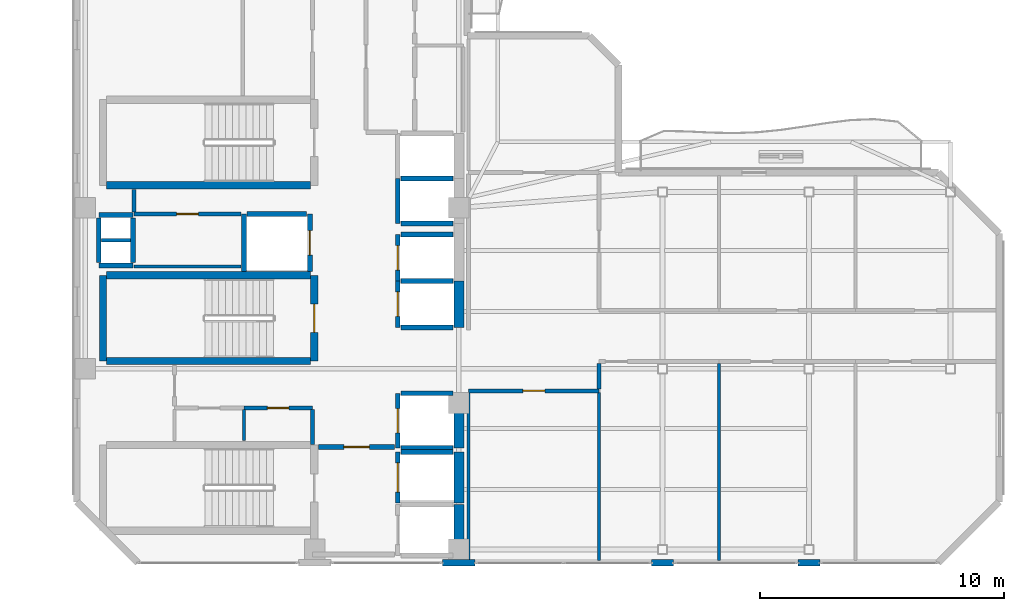
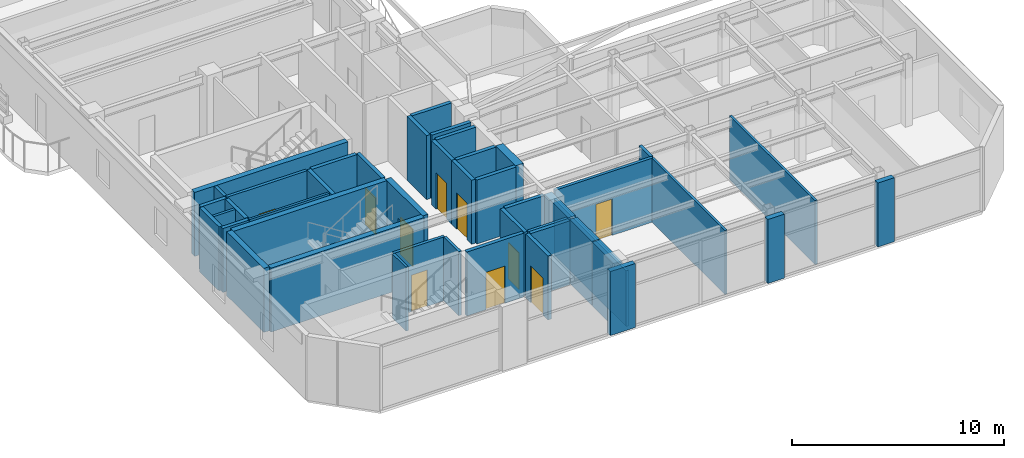
# One storey, part 9 of 15: 45 walls, 10 doors, 10 openings.
"""IFC4 building model written with IfcOpenShell, lengths in metres."""

from ifc_helpers import new_model, si_unit, direction, frame, frame_2d, origin, place, context, subcontext, project, spatial, rectangle, extrude, material, layer, layer_set, type_object, element, fill, save


model = new_model("IFC4")

# Units and contexts
model_context = context("Model", 3, precision=1e-05, world=origin(), true_north=direction((0.0, 1.0)))
body_context = subcontext(model_context, "Body", "Model", "MODEL_VIEW")
ifc_project = project(units=[si_unit("LENGTHUNIT", "METRE"), si_unit("AREAUNIT", "SQUARE_METRE"), si_unit("VOLUMEUNIT", "CUBIC_METRE"), si_unit("PLANEANGLEUNIT", "RADIAN"), si_unit("MASSUNIT", "GRAM", prefix="KILO")], contexts=[model_context])

# Site, building, storey
site_placement = place(None, origin())
site = spatial("IfcSite", under=ifc_project, at=site_placement, CompositionType="ELEMENT")
building_placement = place(site_placement, origin())
building = spatial("IfcBuilding", under=site, at=building_placement, Name="Mawjaban Terraces University", CompositionType="ELEMENT")
storey_placement = place(building_placement, frame((0.0, 0.0, 295.0)))
storey = spatial("IfcBuildingStorey", under=building, at=storey_placement, Name="L72", CompositionType="ELEMENT", Elevation=295.0)

# Walls
ifc_material_1 = material(Name="Concrete C50/60", Category="concrete")
ifc_layer_1 = layer(ifc_material_1, 0.419921875)
ifc_layer_set_1 = layer_set([ifc_layer_1], Name="Concrete C50/60")
wall_type_1 = type_object("IfcWallType", Name="CoreShearWall_420", PredefinedType="SHEAR", material=ifc_layer_set_1)
wall_1_placement = place(storey_placement, frame((37.659912109375, 0.300048828125, 0.0), z_axis=(0.0, 0.0, 1.0), x_axis=(0.0, 1.0, 0.0)))
element("IfcWall", 1, at=wall_1_placement, inside=storey, type_object=wall_type_1, Name="L72 Lift FL-1 Hoistway Wall East", PredefinedType="SHEAR", context=body_context, shape_type="SweptSolid", body=[
    extrude(rectangle(XDim=2.099853515625, YDim=0.419921875, at=frame_2d((1.0498046875, 0.0))), origin(), (0.0, 0.0, 1.0), 3.68994140625),
])
wall_2_placement = place(storey_placement, frame((37.659912109375, 2.449951171875, 0.0), z_axis=(0.0, 0.0, 1.0), x_axis=(0.0, 1.0, 0.0)))
element("IfcWall", 2, at=wall_2_placement, inside=storey, type_object=wall_type_1, Name="L72 Lift FL-2 Hoistway Wall East", PredefinedType="SHEAR", context=body_context, shape_type="SweptSolid", body=[
    extrude(rectangle(XDim=2.10009765625, YDim=0.419921875, at=frame_2d((1.050048828125, 0.0))), origin(), (0.0, 0.0, 1.0), 3.68994140625),
])
wall_3_placement = place(storey_placement, frame((37.659912109375, 4.699951171875, 0.0), z_axis=(0.0, 0.0, 1.0), x_axis=(0.0, 1.0, 0.0)))
element("IfcWall", 3, at=wall_3_placement, inside=storey, type_object=wall_type_1, Name="L72 Lift SL-1 Hoistway Wall East", PredefinedType="SHEAR", context=body_context, shape_type="SweptSolid", body=[
    extrude(rectangle(XDim=2.25, YDim=0.419921875, at=frame_2d((1.125, 0.0))), origin(), (0.0, 0.0, 1.0), 3.68994140625),
])
wall_4_placement = place(storey_placement, frame((37.659912109375, 9.64990234375, 0.0), z_axis=(0.0, 0.0, 1.0), x_axis=(0.0, 1.0, 0.0)))
element("IfcWall", 4, at=wall_4_placement, inside=storey, type_object=wall_type_1, Name="L72 Lift PL-H1 Hoistway Wall East", PredefinedType="SHEAR", context=body_context, shape_type="SweptSolid", body=[
    extrude(rectangle(XDim=1.900146484375, YDim=0.419921875, at=frame_2d((0.9501953125, 0.0))), origin(), (0.0, 0.0, 1.0), 3.68994140625),
])

# Wall, opening, door
ifc_material_2 = material(Name="Fire-rated gypsum board on steel stud", Category="steel")
ifc_layer_2 = layer(ifc_material_2, 0.159912109375)
ifc_layer_set_2 = layer_set([ifc_layer_2], Name="Fire-rated gypsum board on steel stud")
wall_type_2 = type_object("IfcWallType", Name="CorridorPartition_160", PredefinedType="PARTITIONING", material=ifc_layer_set_2)
wall_5_placement = place(storey_placement, frame((24.35009765625, 14.300048828125, 0.0), z_axis=(0.0, 0.0, 1.0), x_axis=(1.0, 0.0, 0.0)))
wall_5 = element("IfcWall", 5, at=wall_5_placement, inside=storey, type_object=wall_type_2, Name="L72 Core Riser Access Passage Partition 2", PredefinedType="PARTITIONING", context=body_context, shape_type="SweptSolid", body=[
    extrude(rectangle(XDim=4.369873046875, YDim=0.159912109375, at=frame_2d((2.18505859375, 0.0))), origin(), (0.0, 0.0, 1.0), 3.68994140625),
])
opening_1_placement = place(wall_5_placement, frame((1.735107421875, 0.0, 0.0)))
opening_1 = element("IfcOpeningElement", 6, at=opening_1_placement, cuts=wall_5, Name="Opening ID-090", PredefinedType="OPENING", context=body_context, shape_type="SweptSolid", body=[
    extrude(rectangle(XDim=0.89990234375, YDim=2.10009765625, at=frame_2d((0.449951171875, 1.050048828125))), frame((0.0, 0.08984375, 0.0), z_axis=(0.0, -1.0, 0.0), x_axis=(1.0, 0.0, 0.0)), (0.0, 0.0, 1.0), 0.179931640625),
])
ifc_material_3 = material(Name="Powder-coated steel frame and solid acoustic timber leaf", Category="steel")
door_type_1 = type_object("IfcDoorType", Name="OfficeDoor_900x2100", OperationType="NOTDEFINED", PredefinedType="DOOR", material=ifc_material_3)
door_1_placement = place(opening_1_placement, origin())
door_1 = element("IfcDoor", 7, at=door_1_placement, inside=storey, type_object=door_type_1, Name="L72 Cleaner Store Door", OperationType="SINGLE_SWING_LEFT", OverallHeight=2.10009765625, OverallWidth=0.89990234375, PredefinedType="DOOR", context=body_context, shape_type="SweptSolid", body=[
    extrude(rectangle(XDim=0.89990234375, YDim=2.10009765625, at=frame_2d((0.449951171875, 1.050048828125))), frame((0.0, 0.02490234375, 0.0), z_axis=(0.0, -1.0, 0.0), x_axis=(1.0, 0.0, 0.0)), (0.0, 0.0, 1.0), 0.050048828125),
])
fill(opening_1, door_1)

wall_6_placement = place(storey_placement, frame((28.85009765625, 6.35009765625, 0.0), z_axis=(0.0, 0.0, 1.0), x_axis=(1.0, 0.0, 0.0)))
wall_6 = element("IfcWall", 8, at=wall_6_placement, inside=storey, type_object=wall_type_2, Name="L72 Core Washroom Lobby Partition 5", PredefinedType="PARTITIONING", context=body_context, shape_type="SweptSolid", body=[
    extrude(rectangle(XDim=2.7998046875, YDim=0.159912109375, at=frame_2d((1.39990234375, 0.0))), origin(), (0.0, 0.0, 1.0), 3.68994140625),
])
opening_2_placement = place(wall_6_placement, frame((0.9599609375, 0.0, 0.0)))
opening_2 = element("IfcOpeningElement", 9, at=opening_2_placement, cuts=wall_6, Name="Opening ID-088", PredefinedType="OPENING", context=body_context, shape_type="SweptSolid", body=[
    extrude(rectangle(XDim=0.8798828125, YDim=2.10009765625, at=frame_2d((0.43994140625, 1.050048828125))), frame((0.0, 0.08984375, 0.0), z_axis=(0.0, -1.0, 0.0), x_axis=(1.0, 0.0, 0.0)), (0.0, 0.0, 1.0), 0.179931640625),
])
door_type_2 = type_object("IfcDoorType", Name="ToiletDoor_880x2100", OperationType="NOTDEFINED", PredefinedType="DOOR", material=ifc_material_3)
door_2_placement = place(opening_2_placement, origin())
door_2 = element("IfcDoor", 10, at=door_2_placement, inside=storey, type_object=door_type_2, Name="L72 Accessible Toilet Door", OperationType="SINGLE_SWING_RIGHT", OverallHeight=2.10009765625, OverallWidth=0.8798828125, PredefinedType="DOOR", context=body_context, shape_type="SweptSolid", body=[
    extrude(rectangle(XDim=0.8798828125, YDim=2.10009765625, at=frame_2d((0.43994140625, 1.050048828125))), frame((0.0, 0.02490234375, 0.0), z_axis=(0.0, -1.0, 0.0), x_axis=(1.0, 0.0, 0.0)), (0.0, 0.0, 1.0), 0.050048828125),
])
fill(opening_2, door_2)

wall_7_placement = place(storey_placement, frame((38.050048828125, 7.050048828125, 0.0), z_axis=(0.0, 0.0, 1.0), x_axis=(1.0, 0.0, 0.0)))
wall_7 = element("IfcWall", 11, at=wall_7_placement, inside=storey, type_object=wall_type_2, Name="L72 Upper Research Hub Concourse Partition 16", PredefinedType="PARTITIONING", context=body_context, shape_type="SweptSolid", body=[
    extrude(rectangle(XDim=5.349853515625, YDim=0.159912109375, at=frame_2d((2.6748046875, 0.0))), origin(), (0.0, 0.0, 1.0), 3.68994140625),
])
opening_3_placement = place(wall_7_placement, frame((2.22509765625, 0.0, 0.0)))
opening_3 = element("IfcOpeningElement", 12, at=opening_3_placement, cuts=wall_7, Name="Opening ID-090", PredefinedType="OPENING", context=body_context, shape_type="SweptSolid", body=[
    extrude(rectangle(XDim=0.89990234375, YDim=2.10009765625, at=frame_2d((0.449951171875, 1.050048828125))), frame((0.0, 0.08984375, 0.0), z_axis=(0.0, -1.0, 0.0), x_axis=(1.0, 0.0, 0.0)), (0.0, 0.0, 1.0), 0.179931640625),
])
door_3_placement = place(opening_3_placement, origin())
door_3 = element("IfcDoor", 13, at=door_3_placement, inside=storey, type_object=door_type_1, Name="L72 Academic Counseling Room 1 Door", OperationType="SINGLE_SWING_LEFT", OverallHeight=2.10009765625, OverallWidth=0.89990234375, PredefinedType="DOOR", context=body_context, shape_type="SweptSolid", body=[
    extrude(rectangle(XDim=0.89990234375, YDim=2.10009765625, at=frame_2d((0.449951171875, 1.050048828125))), frame((0.0, 0.02490234375, 0.0), z_axis=(0.0, -1.0, 0.0), x_axis=(1.0, 0.0, 0.0)), (0.0, 0.0, 1.0), 0.050048828125),
])
fill(opening_3, door_3)

# Walls
wall_8_placement = place(storey_placement, frame((24.35009765625, 15.2900390625, 0.0), z_axis=(0.0, 0.0, 1.0), x_axis=(0.0, -1.0, 0.0)))
element("IfcWall", 14, at=wall_8_placement, inside=storey, type_object=wall_type_2, Name="L72 Core Riser Access Passage Partition 24", PredefinedType="PARTITIONING", context=body_context, shape_type="SweptSolid", body=[
    extrude(rectangle(XDim=0.9150390625, YDim=0.159912109375, at=frame_2d((0.45751953125, 0.0))), origin(), (0.0, 0.0, 1.0), 3.68994140625),
])
wall_9_placement = place(storey_placement, frame((31.64990234375, 4.860107421875, 0.0), z_axis=(0.0, 0.0, 1.0), x_axis=(0.0, 1.0, 0.0)))
element("IfcWall", 15, at=wall_9_placement, inside=storey, type_object=wall_type_2, Name="L72 Accessible Toilet Partition 29", PredefinedType="PARTITIONING", context=body_context, shape_type="SweptSolid", body=[
    extrude(rectangle(XDim=1.414794921875, YDim=0.159912109375, at=frame_2d((0.70751953125, 0.0))), origin(), (0.0, 0.0, 1.0), 3.68994140625),
])
wall_10_placement = place(storey_placement, frame((43.39990234375, 7.125, 0.0), z_axis=(0.0, 0.0, 1.0), x_axis=(0.0, 1.0, 0.0)))
element("IfcWall", 16, at=wall_10_placement, inside=storey, type_object=wall_type_2, Name="L72 Upper Research Hub Concourse Partition 42", PredefinedType="PARTITIONING", context=body_context, shape_type="SweptSolid", body=[
    extrude(rectangle(XDim=1.050048828125, YDim=0.159912109375, at=frame_2d((0.52490234375, 0.0))), origin(), (0.0, 0.0, 1.0), 3.68994140625),
])
ifc_material_4 = material(Name="Insulated terracotta rainscreen on concrete backup C40/50", Category="masonry")
ifc_layer_3 = layer(ifc_material_4, 0.27490234375)
ifc_layer_set_3 = layer_set([ifc_layer_3], Name="Insulated terracotta rainscreen on concrete backup C40/50")
wall_type_3 = type_object("IfcWallType", Name="ExtTerracottaWall_275", PredefinedType="SOLIDWALL", material=ifc_layer_set_3)
wall_11_placement = place(storey_placement, frame((36.97509765625, 0.0, 0.0), z_axis=(0.0, 0.0, 1.0), x_axis=(1.0, 0.0, 0.0)))
element("IfcWall", 17, at=wall_11_placement, inside=storey, type_object=wall_type_3, Name="L72 Exterior Terracotta Pier Wall 1.2", PredefinedType="SOLIDWALL", context=body_context, shape_type="SweptSolid", body=[
    extrude(rectangle(XDim=1.349853515625, YDim=0.27490234375, at=frame_2d((0.6748046875, 0.0))), origin(), (0.0, 0.0, 1.0), 3.68994140625),
])
for number, where, z_axis, x_axis, name in (
    (18, (45.550048828125, 0.0, 0.0), (0.0, 0.0, 1.0), (1.0, 0.0, 0.0), "L72 Exterior Terracotta Pier Wall 1.3"),
    (19, (51.550048828125, 0.0, 0.0), (0.0, 0.0, 1.0), (1.0, 0.0, 0.0), "L72 Exterior Terracotta Pier Wall 1.4"),
):
    element("IfcWall", number, at=place(storey_placement, frame(where, z_axis=z_axis, x_axis=x_axis)), inside=storey, type_object=wall_type_3, Name=name, PredefinedType="SOLIDWALL", context=body_context, shape_type="SweptSolid", body=[
        extrude(rectangle(XDim=0.89990234375, YDim=0.27490234375, at=frame_2d((0.449951171875, 0.0))), origin(), (0.0, 0.0, 1.0), 3.68994140625),
    ])

# Wall, opening, door
ifc_material_5 = material(Name="Concrete C40/50", Category="concrete")
ifc_layer_4 = layer(ifc_material_5, 0.199951171875)
ifc_layer_set_4 = layer_set([ifc_layer_4], Name="Concrete C40/50")
wall_type_4 = type_object("IfcWallType", Name="FireLobbyWall_200", PredefinedType="SOLIDWALL", material=ifc_layer_set_4)
wall_12_placement = place(storey_placement, frame((35.14990234375, 4.550048828125, 0.0), z_axis=(0.0, 0.0, 1.0), x_axis=(0.0, -1.0, 0.0)))
wall_12 = element("IfcWall", 20, at=wall_12_placement, inside=storey, type_object=wall_type_4, Name="L72 Lift FL-2 Hoistway Wall West", PredefinedType="SOLIDWALL", context=body_context, shape_type="SweptSolid", body=[
    extrude(rectangle(XDim=2.10009765625, YDim=0.199951171875, at=frame_2d((1.050048828125, 0.0))), origin(), (0.0, 0.0, 1.0), 3.68994140625),
])
opening_4_placement = place(wall_12_placement, frame((0.449951171875, 0.0, 0.0)))
opening_4 = element("IfcOpeningElement", 21, at=opening_4_placement, cuts=wall_12, Name="Opening LD-FL-2", PredefinedType="OPENING", context=body_context, shape_type="SweptSolid", body=[
    extrude(rectangle(XDim=1.199951171875, YDim=2.14990234375, at=frame_2d((0.60009765625, 1.074951171875))), frame((0.0, 0.10986328125, 0.0), z_axis=(0.0, -1.0, 0.0), x_axis=(1.0, 0.0, 0.0)), (0.0, 0.0, 1.0), 0.219970703125),
])
ifc_material_6 = material(Name="Powder-coated steel frame and fire-rated steel-faced leaf", Category="steel")
door_type_3 = type_object("IfcDoorType", Name="LiftLandingFSAE_1200x2150", OperationType="NOTDEFINED", PredefinedType="DOOR", material=ifc_material_6)
door_4_placement = place(opening_4_placement, origin())
door_4 = element("IfcDoor", 22, at=door_4_placement, inside=storey, type_object=door_type_3, Name="L72 Lift FL-2 Sliding Landing Door", OperationType="DOUBLE_DOOR_SLIDING", OverallHeight=2.14990234375, OverallWidth=1.199951171875, PredefinedType="DOOR", context=body_context, shape_type="SweptSolid", body=[
    extrude(rectangle(XDim=1.199951171875, YDim=2.14990234375, at=frame_2d((0.60009765625, 1.074951171875))), frame((0.0, 0.02490234375, 0.0), z_axis=(0.0, -1.0, 0.0), x_axis=(1.0, 0.0, 0.0)), (0.0, 0.0, 1.0), 0.050048828125),
])
fill(opening_4, door_4)

# Wall
wall_13_placement = place(storey_placement, frame((37.419921875, 4.550048828125, 0.0), z_axis=(0.0, 0.0, 1.0), x_axis=(-1.0, 0.0, 0.0)))
element("IfcWall", 23, at=wall_13_placement, inside=storey, type_object=wall_type_4, Name="L72 Lift FL-2 Hoistway Wall North", PredefinedType="SOLIDWALL", context=body_context, shape_type="SweptSolid", body=[
    extrude(rectangle(XDim=2.139892578125, YDim=0.199951171875, at=frame_2d((1.06982421875, 0.0))), origin(), (0.0, 0.0, 1.0), 3.68994140625),
])

# Wall, opening, door
wall_14_placement = place(storey_placement, frame((35.14990234375, 6.949951171875, 0.0), z_axis=(0.0, 0.0, 1.0), x_axis=(0.0, -1.0, 0.0)))
wall_14 = element("IfcWall", 24, at=wall_14_placement, inside=storey, type_object=wall_type_4, Name="L72 Lift SL-1 Hoistway Wall West", PredefinedType="SOLIDWALL", context=body_context, shape_type="SweptSolid", body=[
    extrude(rectangle(XDim=2.25, YDim=0.199951171875, at=frame_2d((1.125, 0.0))), origin(), (0.0, 0.0, 1.0), 3.68994140625),
])
opening_5_placement = place(wall_14_placement, frame((0.625, 0.0, 0.0)))
opening_5 = element("IfcOpeningElement", 25, at=opening_5_placement, cuts=wall_14, Name="Opening LD-SL-1", PredefinedType="OPENING", context=body_context, shape_type="SweptSolid", body=[
    extrude(rectangle(XDim=1.0, YDim=2.10009765625, at=frame_2d((0.5, 1.050048828125))), frame((0.0, 0.10986328125, 0.0), z_axis=(0.0, -1.0, 0.0), x_axis=(1.0, 0.0, 0.0)), (0.0, 0.0, 1.0), 0.219970703125),
])
door_type_4 = type_object("IfcDoorType", Name="LiftLandingSliding_1000x2100", OperationType="NOTDEFINED", PredefinedType="DOOR", material=ifc_material_6)
door_5_placement = place(opening_5_placement, origin())
door_5 = element("IfcDoor", 26, at=door_5_placement, inside=storey, type_object=door_type_4, Name="L72 Lift SL-1 Sliding Landing Door", OperationType="DOUBLE_DOOR_SLIDING", OverallHeight=2.10009765625, OverallWidth=1.0, PredefinedType="DOOR", context=body_context, shape_type="SweptSolid", body=[
    extrude(rectangle(XDim=1.0, YDim=2.10009765625, at=frame_2d((0.5, 1.050048828125))), frame((0.0, 0.02490234375, 0.0), z_axis=(0.0, -1.0, 0.0), x_axis=(1.0, 0.0, 0.0)), (0.0, 0.0, 1.0), 0.050048828125),
])
fill(opening_5, door_5)

# Walls
for number, where, z_axis, x_axis, name in (
    (27, (35.280029296875, 4.699951171875, 0.0), (0.0, 0.0, 1.0), (1.0, 0.0, 0.0), "L72 Lift SL-1 Hoistway Wall South"),
    (28, (37.419921875, 6.949951171875, 0.0), (0.0, 0.0, 1.0), (-1.0, 0.0, 0.0), "L72 Lift SL-1 Hoistway Wall North"),
):
    element("IfcWall", number, at=place(storey_placement, frame(where, z_axis=z_axis, x_axis=x_axis)), inside=storey, type_object=wall_type_4, Name=name, PredefinedType="SOLIDWALL", context=body_context, shape_type="SweptSolid", body=[
        extrude(rectangle(XDim=2.139892578125, YDim=0.199951171875, at=frame_2d((1.06982421875, 0.0))), origin(), (0.0, 0.0, 1.0), 3.68994140625),
    ])

# Wall, opening, door
wall_15_placement = place(storey_placement, frame((35.14990234375, 11.550048828125, 0.0), z_axis=(0.0, 0.0, 1.0), x_axis=(0.0, -1.0, 0.0)))
wall_15 = element("IfcWall", 29, at=wall_15_placement, inside=storey, type_object=wall_type_4, Name="L72 Lift PL-H1 Hoistway Wall West", PredefinedType="SOLIDWALL", context=body_context, shape_type="SweptSolid", body=[
    extrude(rectangle(XDim=1.900146484375, YDim=0.199951171875, at=frame_2d((0.9501953125, 0.0))), origin(), (0.0, 0.0, 1.0), 3.68994140625),
])
opening_6_placement = place(wall_15_placement, frame((0.449951171875, 0.0, 0.0)))
opening_6 = element("IfcOpeningElement", 30, at=opening_6_placement, cuts=wall_15, Name="Opening LD-PL-H1", PredefinedType="OPENING", context=body_context, shape_type="SweptSolid", body=[
    extrude(rectangle(XDim=1.0, YDim=2.10009765625, at=frame_2d((0.5, 1.050048828125))), frame((0.0, 0.10986328125, 0.0), z_axis=(0.0, -1.0, 0.0), x_axis=(1.0, 0.0, 0.0)), (0.0, 0.0, 1.0), 0.219970703125),
])
door_6_placement = place(opening_6_placement, origin())
door_6 = element("IfcDoor", 31, at=door_6_placement, inside=storey, type_object=door_type_4, Name="L72 Lift PL-H1 Sliding Landing Door", OperationType="DOUBLE_DOOR_SLIDING", OverallHeight=2.10009765625, OverallWidth=1.0, PredefinedType="DOOR", context=body_context, shape_type="SweptSolid", body=[
    extrude(rectangle(XDim=1.0, YDim=2.10009765625, at=frame_2d((0.5, 1.050048828125))), frame((0.0, 0.02490234375, 0.0), z_axis=(0.0, -1.0, 0.0), x_axis=(1.0, 0.0, 0.0)), (0.0, 0.0, 1.0), 0.050048828125),
])
fill(opening_6, door_6)

# Walls
for number, where, z_axis, x_axis, name in (
    (32, (35.280029296875, 9.64990234375, 0.0), (0.0, 0.0, 1.0), (1.0, 0.0, 0.0), "L72 Lift PL-H1 Hoistway Wall South"),
    (33, (37.419921875, 11.550048828125, 0.0), (0.0, 0.0, 1.0), (-1.0, 0.0, 0.0), "L72 Lift PL-H1 Hoistway Wall North"),
):
    element("IfcWall", number, at=place(storey_placement, frame(where, z_axis=z_axis, x_axis=x_axis)), inside=storey, type_object=wall_type_4, Name=name, PredefinedType="SOLIDWALL", context=body_context, shape_type="SweptSolid", body=[
        extrude(rectangle(XDim=2.139892578125, YDim=0.199951171875, at=frame_2d((1.06982421875, 0.0))), origin(), (0.0, 0.0, 1.0), 3.68994140625),
    ])

# Wall, opening, door
wall_16_placement = place(storey_placement, frame((35.14990234375, 13.449951171875, 0.0), z_axis=(0.0, 0.0, 1.0), x_axis=(0.0, -1.0, 0.0)))
wall_16 = element("IfcWall", 34, at=wall_16_placement, inside=storey, type_object=wall_type_4, Name="L72 Lift PL-H2 Hoistway Wall West", PredefinedType="SOLIDWALL", context=body_context, shape_type="SweptSolid", body=[
    extrude(rectangle(XDim=1.89990234375, YDim=0.199951171875, at=frame_2d((0.949951171875, 0.0))), origin(), (0.0, 0.0, 1.0), 3.68994140625),
])
opening_7_placement = place(wall_16_placement, frame((0.449951171875, 0.0, 0.0)))
opening_7 = element("IfcOpeningElement", 35, at=opening_7_placement, cuts=wall_16, Name="Opening LD-PL-H2", PredefinedType="OPENING", context=body_context, shape_type="SweptSolid", body=[
    extrude(rectangle(XDim=1.0, YDim=2.10009765625, at=frame_2d((0.5, 1.050048828125))), frame((0.0, 0.10986328125, 0.0), z_axis=(0.0, -1.0, 0.0), x_axis=(1.0, 0.0, 0.0)), (0.0, 0.0, 1.0), 0.219970703125),
])
door_7_placement = place(opening_7_placement, origin())
door_7 = element("IfcDoor", 36, at=door_7_placement, inside=storey, type_object=door_type_4, Name="L72 Lift PL-H2 Sliding Landing Door", OperationType="DOUBLE_DOOR_SLIDING", OverallHeight=2.10009765625, OverallWidth=1.0, PredefinedType="DOOR", context=body_context, shape_type="SweptSolid", body=[
    extrude(rectangle(XDim=1.0, YDim=2.10009765625, at=frame_2d((0.5, 1.050048828125))), frame((0.0, 0.02490234375, 0.0), z_axis=(0.0, -1.0, 0.0), x_axis=(1.0, 0.0, 0.0)), (0.0, 0.0, 1.0), 0.050048828125),
])
fill(opening_7, door_7)

# Walls
wall_17_placement = place(storey_placement, frame((37.419921875, 13.449951171875, 0.0), z_axis=(0.0, 0.0, 1.0), x_axis=(-1.0, 0.0, 0.0)))
element("IfcWall", 37, at=wall_17_placement, inside=storey, type_object=wall_type_4, Name="L72 Lift PL-H2 Hoistway Wall North", PredefinedType="SOLIDWALL", context=body_context, shape_type="SweptSolid", body=[
    extrude(rectangle(XDim=2.139892578125, YDim=0.199951171875, at=frame_2d((1.06982421875, 0.0))), origin(), (0.0, 0.0, 1.0), 3.68994140625),
])
wall_18_placement = place(storey_placement, frame((28.85009765625, 14.300048828125, 0.0), z_axis=(0.0, 0.0, 1.0), x_axis=(0.0, -1.0, 0.0)))
element("IfcWall", 38, at=wall_18_placement, inside=storey, type_object=wall_type_4, Name="L72 Lift PL-H3 Hoistway Wall West", PredefinedType="SOLIDWALL", context=body_context, shape_type="SweptSolid", body=[
    extrude(rectangle(XDim=2.3701171875, YDim=0.199951171875, at=frame_2d((1.18505859375, 0.0))), origin(), (0.0, 0.0, 1.0), 3.68994140625),
])

# Wall, opening, door
wall_19_placement = place(storey_placement, frame((31.550048828125, 11.929931640625, 0.0), z_axis=(0.0, 0.0, 1.0), x_axis=(0.0, 1.0, 0.0)))
wall_19 = element("IfcWall", 39, at=wall_19_placement, inside=storey, type_object=wall_type_4, Name="L72 Lift PL-H3 Hoistway Wall East", PredefinedType="SOLIDWALL", context=body_context, shape_type="SweptSolid", body=[
    extrude(rectangle(XDim=2.3701171875, YDim=0.199951171875, at=frame_2d((1.18505859375, 0.0))), origin(), (0.0, 0.0, 1.0), 3.68994140625),
])
opening_8_placement = place(wall_19_placement, frame((0.68505859375, 0.0, 0.0)))
opening_8 = element("IfcOpeningElement", 40, at=opening_8_placement, cuts=wall_19, Name="Opening LD-PL-H3", PredefinedType="OPENING", context=body_context, shape_type="SweptSolid", body=[
    extrude(rectangle(XDim=1.0, YDim=2.10009765625, at=frame_2d((0.5, 1.050048828125))), frame((0.0, 0.10986328125, 0.0), z_axis=(0.0, -1.0, 0.0), x_axis=(1.0, 0.0, 0.0)), (0.0, 0.0, 1.0), 0.219970703125),
])
door_8_placement = place(opening_8_placement, origin())
door_8 = element("IfcDoor", 41, at=door_8_placement, inside=storey, type_object=door_type_4, Name="L72 Lift PL-H3 Sliding Landing Door", OperationType="DOUBLE_DOOR_SLIDING", OverallHeight=2.10009765625, OverallWidth=1.0, PredefinedType="DOOR", context=body_context, shape_type="SweptSolid", body=[
    extrude(rectangle(XDim=1.0, YDim=2.10009765625, at=frame_2d((0.5, 1.050048828125))), frame((0.0, 0.02490234375, 0.0), z_axis=(0.0, -1.0, 0.0), x_axis=(1.0, 0.0, 0.0)), (0.0, 0.0, 1.0), 0.050048828125),
])
fill(opening_8, door_8)

# Walls
wall_20_placement = place(storey_placement, frame((31.419921875, 14.300048828125, 0.0), z_axis=(0.0, 0.0, 1.0), x_axis=(-1.0, 0.0, 0.0)))
element("IfcWall", 42, at=wall_20_placement, inside=storey, type_object=wall_type_4, Name="L72 Lift PL-H3 Hoistway Wall North", PredefinedType="SOLIDWALL", context=body_context, shape_type="SweptSolid", body=[
    extrude(rectangle(XDim=2.43994140625, YDim=0.199951171875, at=frame_2d((1.219970703125, 0.0))), origin(), (0.0, 0.0, 1.0), 3.68994140625),
])
wall_21_placement = place(storey_placement, frame((35.14990234375, 15.75, 0.0), z_axis=(0.0, 0.0, 1.0), x_axis=(0.0, -1.0, 0.0)))
element("IfcWall", 43, at=wall_21_placement, inside=storey, type_object=wall_type_4, Name="L72 Lift OL-1 Hoistway Wall West", PredefinedType="SOLIDWALL", context=body_context, shape_type="SweptSolid", body=[
    extrude(rectangle(XDim=1.85009765625, YDim=0.199951171875, at=frame_2d((0.925048828125, 0.0))), origin(), (0.0, 0.0, 1.0), 3.68994140625),
])
for number, where, z_axis, x_axis, name in (
    (44, (35.280029296875, 13.89990234375, 0.0), (0.0, 0.0, 1.0), (1.0, 0.0, 0.0), "L72 Lift OL-1 Hoistway Wall South"),
    (45, (37.419921875, 15.75, 0.0), (0.0, 0.0, 1.0), (-1.0, 0.0, 0.0), "L72 Lift OL-1 Hoistway Wall North"),
):
    element("IfcWall", number, at=place(storey_placement, frame(where, z_axis=z_axis, x_axis=x_axis)), inside=storey, type_object=wall_type_4, Name=name, PredefinedType="SOLIDWALL", context=body_context, shape_type="SweptSolid", body=[
        extrude(rectangle(XDim=2.139892578125, YDim=0.199951171875, at=frame_2d((1.06982421875, 0.0))), origin(), (0.0, 0.0, 1.0), 3.68994140625),
    ])
for number, where, z_axis, x_axis, name in (
    (46, (22.89990234375, 14.25, 0.0), (0.0, 0.0, 1.0), (1.0, 0.0, 0.0), "L72 MEP Riser Shaft Wall N"),
    (47, (22.89990234375, 12.179931640625, 0.0), (0.0, 0.0, 1.0), (1.0, 0.0, 0.0), "L72 MEP Riser Shaft Wall S"),
):
    element("IfcWall", number, at=place(storey_placement, frame(where, z_axis=z_axis, x_axis=x_axis)), inside=storey, type_object=wall_type_4, Name=name, PredefinedType="SOLIDWALL", context=body_context, shape_type="SweptSolid", body=[
        extrude(rectangle(XDim=1.400146484375, YDim=0.199951171875, at=frame_2d((0.7001953125, 0.0))), origin(), (0.0, 0.0, 1.0), 3.68994140625),
    ])
for number, where, z_axis, x_axis, name in (
    (48, (24.300048828125, 12.300048828125, 0.0), (0.0, 0.0, 1.0), (0.0, 1.0, 0.0), "L72 MEP Riser Shaft Wall E"),
    (49, (22.89990234375, 12.300048828125, 0.0), (0.0, 0.0, 1.0), (0.0, 1.0, 0.0), "L72 MEP Riser Shaft Wall W"),
):
    element("IfcWall", number, at=place(storey_placement, frame(where, z_axis=z_axis, x_axis=x_axis)), inside=storey, type_object=wall_type_4, Name=name, PredefinedType="SOLIDWALL", context=body_context, shape_type="SweptSolid", body=[
        extrude(rectangle(XDim=1.829833984375, YDim=0.199951171875, at=frame_2d((0.9150390625, 0.0))), origin(), (0.0, 0.0, 1.0), 3.68994140625),
    ])

# Wall, opening, door
wall_22_placement = place(storey_placement, frame((35.02001953125, 4.75, 0.0), z_axis=(0.0, 0.0, 1.0), x_axis=(-1.0, 0.0, 0.0)))
wall_22 = element("IfcWall", 50, at=wall_22_placement, inside=storey, type_object=wall_type_4, Name="L72 Firefighting Lift Lobby Partition 9", PredefinedType="SOLIDWALL", context=body_context, shape_type="SweptSolid", body=[
    extrude(rectangle(XDim=3.110107421875, YDim=0.199951171875, at=frame_2d((1.55517578125, 0.0))), origin(), (0.0, 0.0, 1.0), 3.68994140625),
])
opening_9_placement = place(wall_22_placement, frame((1.030029296875, 0.0, 0.0)))
opening_9 = element("IfcOpeningElement", 51, at=opening_9_placement, cuts=wall_22, Name="Opening FD-105", PredefinedType="OPENING", context=body_context, shape_type="SweptSolid", body=[
    extrude(rectangle(XDim=1.050048828125, YDim=2.14990234375, at=frame_2d((0.52490234375, 1.074951171875))), frame((0.0, 0.10986328125, 0.0), z_axis=(0.0, -1.0, 0.0), x_axis=(1.0, 0.0, 0.0)), (0.0, 0.0, 1.0), 0.219970703125),
])
door_type_5 = type_object("IfcDoorType", Name="FireLobbyDoor_1050x2150", OperationType="NOTDEFINED", PredefinedType="DOOR", material=ifc_material_6)
door_9_placement = place(opening_9_placement, origin())
door_9 = element("IfcDoor", 52, at=door_9_placement, inside=storey, type_object=door_type_5, Name="L72 Firefighting Lift Lobby Door", OperationType="SINGLE_SWING_LEFT", OverallHeight=2.14990234375, OverallWidth=1.050048828125, PredefinedType="DOOR", context=body_context, shape_type="SweptSolid", body=[
    extrude(rectangle(XDim=1.050048828125, YDim=2.14990234375, at=frame_2d((0.52490234375, 1.074951171875))), frame((0.0, 0.02490234375, 0.0), z_axis=(0.0, -1.0, 0.0), x_axis=(1.0, 0.0, 0.0)), (0.0, 0.0, 1.0), 0.050048828125),
])
fill(opening_9, door_9)

# Walls
ifc_material_7 = material(Name="Moisture-resistant gypsum board on steel stud", Category="steel")
ifc_layer_5 = layer(ifc_material_7, 0.14501953125)
ifc_layer_set_5 = layer_set([ifc_layer_5], Name="Moisture-resistant gypsum board on steel stud")
wall_type_5 = type_object("IfcWallType", Name="LabPartition_145", PredefinedType="PARTITIONING", material=ifc_layer_set_5)
wall_23_placement = place(storey_placement, frame((23.010009765625, 13.22509765625, 0.0), z_axis=(0.0, 0.0, 1.0), x_axis=(1.0, 0.0, 0.0)))
element("IfcWall", 53, at=wall_23_placement, inside=storey, type_object=wall_type_5, Name="L72 MEP Riser Shaft Wall M", PredefinedType="PARTITIONING", context=body_context, shape_type="SweptSolid", body=[
    extrude(rectangle(XDim=1.179931640625, YDim=0.14501953125, at=frame_2d((0.58984375, 0.0))), origin(), (0.0, 0.0, 1.0), 3.68994140625),
])
ifc_material_8 = material(Name="Gypsum plasterboard on steel stud", Category="steel")
ifc_layer_6 = layer(ifc_material_8, 0.125)
ifc_layer_set_6 = layer_set([ifc_layer_6], Name="Gypsum plasterboard on steel stud")
wall_type_6 = type_object("IfcWallType", Name="OfficePartition_125", PredefinedType="PARTITIONING", material=ifc_layer_set_6)
wall_24_placement = place(storey_placement, frame((24.35009765625, 12.14990234375, 0.0), z_axis=(0.0, 0.0, 1.0), x_axis=(1.0, 0.0, 0.0)))
element("IfcWall", 54, at=wall_24_placement, inside=storey, type_object=wall_type_6, Name="L72 Cleaner Store Partition 1", PredefinedType="PARTITIONING", context=body_context, shape_type="SweptSolid", body=[
    extrude(rectangle(XDim=4.369873046875, YDim=0.125, at=frame_2d((2.18505859375, 0.0))), origin(), (0.0, 0.0, 1.0), 3.68994140625),
])
wall_25_placement = place(storey_placement, frame((38.050048828125, 6.97509765625, 0.0), z_axis=(0.0, 0.0, 1.0), x_axis=(0.0, -1.0, 0.0)))
element("IfcWall", 55, at=wall_25_placement, inside=storey, type_object=wall_type_6, Name="L72 Academic Counseling Room 1 Partition 38", PredefinedType="PARTITIONING", context=body_context, shape_type="SweptSolid", body=[
    extrude(rectangle(XDim=6.842041015625, YDim=0.125, at=frame_2d((3.4208984375, 0.0))), origin(), (0.0, 0.0, 1.0), 3.220947265625),
])
wall_26_placement = place(storey_placement, frame((43.39990234375, 0.090087890625, 0.0), z_axis=(0.0, 0.0, 1.0), x_axis=(0.0, 1.0, 0.0)))
element("IfcWall", 56, at=wall_26_placement, inside=storey, type_object=wall_type_6, Name="L72 Academic Counseling Room 1 Partition 41", PredefinedType="PARTITIONING", context=body_context, shape_type="SweptSolid", body=[
    extrude(rectangle(XDim=6.885009765625, YDim=0.125, at=frame_2d((3.4423828125, 0.0))), origin(), (0.0, 0.0, 1.0), 3.68994140625),
])
wall_27_placement = place(storey_placement, frame((48.320068359375, 0.090087890625, 0.0), z_axis=(0.0, 0.0, 1.0), x_axis=(0.0, 1.0, 0.0)))
element("IfcWall", 57, at=wall_27_placement, inside=storey, type_object=wall_type_6, Name="L72 Academic Counseling Room 2 Partition 44", PredefinedType="PARTITIONING", context=body_context, shape_type="SweptSolid", body=[
    extrude(rectangle(XDim=8.0849609375, YDim=0.125, at=frame_2d((4.04248046875, 0.0))), origin(), (0.0, 0.0, 1.0), 3.68994140625),
])
ifc_material_9 = material(Name="Concrete C60/75", Category="concrete")
ifc_layer_7 = layer(ifc_material_9, 0.300048828125)
ifc_layer_set_7 = layer_set([ifc_layer_7], Name="Concrete C60/75")
wall_type_7 = type_object("IfcWallType", Name="StairShaftWall_300", PredefinedType="SHEAR", material=ifc_layer_set_7)
for number, where, z_axis, x_axis, name in (
    (58, (23.219970703125, 15.469970703125, 0.0), (0.0, 0.0, 1.0), (1.0, 0.0, 0.0), "L72 ST-2 Stair Shaft Wall 3"),
    (59, (31.580078125, 11.780029296875, 0.0), (0.0, 0.0, 1.0), (-1.0, 0.0, 0.0), "L72 ST-3 Stair Shaft Wall 1"),
):
    element("IfcWall", number, at=place(storey_placement, frame(where, z_axis=z_axis, x_axis=x_axis)), inside=storey, type_object=wall_type_7, Name=name, PredefinedType="SHEAR", context=body_context, shape_type="SweptSolid", body=[
        extrude(rectangle(XDim=8.360107421875, YDim=0.300048828125, at=frame_2d((4.18017578125, 0.0))), origin(), (0.0, 0.0, 1.0), 3.68994140625),
    ])
wall_28_placement = place(storey_placement, frame((23.070068359375, 11.780029296875, 0.0), z_axis=(0.0, 0.0, 1.0), x_axis=(0.0, -1.0, 0.0)))
element("IfcWall", 60, at=wall_28_placement, inside=storey, type_object=wall_type_7, Name="L72 ST-3 Stair Shaft Wall 2", PredefinedType="SHEAR", context=body_context, shape_type="SweptSolid", body=[
    extrude(rectangle(XDim=3.510009765625, YDim=0.300048828125, at=frame_2d((1.7548828125, 0.0))), origin(), (0.0, 0.0, 1.0), 3.68994140625),
])
wall_29_placement = place(storey_placement, frame((23.219970703125, 8.27001953125, 0.0), z_axis=(0.0, 0.0, 1.0), x_axis=(1.0, 0.0, 0.0)))
element("IfcWall", 61, at=wall_29_placement, inside=storey, type_object=wall_type_7, Name="L72 ST-3 Stair Shaft Wall 3", PredefinedType="SHEAR", context=body_context, shape_type="SweptSolid", body=[
    extrude(rectangle(XDim=8.360107421875, YDim=0.300048828125, at=frame_2d((4.18017578125, 0.0))), origin(), (0.0, 0.0, 1.0), 3.68994140625),
])

# Wall, opening, door
wall_30_placement = place(storey_placement, frame((31.72998046875, 8.27001953125, 0.0), z_axis=(0.0, 0.0, 1.0), x_axis=(0.0, 1.0, 0.0)))
wall_30 = element("IfcWall", 62, at=wall_30_placement, inside=storey, type_object=wall_type_7, Name="L72 ST-3 Stair Shaft Wall 4", PredefinedType="SHEAR", context=body_context, shape_type="SweptSolid", body=[
    extrude(rectangle(XDim=3.510009765625, YDim=0.300048828125, at=frame_2d((1.7548828125, 0.0))), origin(), (0.0, 0.0, 1.0), 3.68994140625),
])
opening_10_placement = place(wall_30_placement, frame((1.179931640625, 0.0, 0.0)))
opening_10 = element("IfcOpeningElement", 63, at=opening_10_placement, cuts=wall_30, Name="Opening FD-115", PredefinedType="OPENING", context=body_context, shape_type="SweptSolid", body=[
    extrude(rectangle(XDim=1.14990234375, YDim=2.14990234375, at=frame_2d((0.574951171875, 1.074951171875))), frame((0.0, 0.159912109375, 0.0), z_axis=(0.0, -1.0, 0.0), x_axis=(1.0, 0.0, 0.0)), (0.0, 0.0, 1.0), 0.320068359375),
])
door_type_6 = type_object("IfcDoorType", Name="FireStairDoor_1150x2150", OperationType="NOTDEFINED", PredefinedType="DOOR", material=ifc_material_6)
door_10_placement = place(opening_10_placement, origin())
door_10 = element("IfcDoor", 64, at=door_10_placement, inside=storey, type_object=door_type_6, Name="L72 ST-3 Pressurised Stair Fire Door", OperationType="SINGLE_SWING_RIGHT", OverallHeight=2.14990234375, OverallWidth=1.14990234375, PredefinedType="DOOR", context=body_context, shape_type="SweptSolid", body=[
    extrude(rectangle(XDim=1.14990234375, YDim=2.14990234375, at=frame_2d((0.574951171875, 1.074951171875))), frame((0.0, 0.02490234375, 0.0), z_axis=(0.0, -1.0, 0.0), x_axis=(1.0, 0.0, 0.0)), (0.0, 0.0, 1.0), 0.050048828125),
])
fill(opening_10, door_10)

# Wall
ifc_material_10 = material(Name="Cement-board wet-room partition", Category="masonry")
ifc_layer_8 = layer(ifc_material_10, 0.135009765625)
ifc_layer_set_8 = layer_set([ifc_layer_8], Name="Cement-board wet-room partition")
wall_type_8 = type_object("IfcWallType", Name="WetRoomPartition_135", PredefinedType="PARTITIONING", material=ifc_layer_set_8)
wall_31_placement = place(storey_placement, frame((28.85009765625, 5.010009765625, 0.0), z_axis=(0.0, 0.0, 1.0), x_axis=(0.0, 1.0, 0.0)))
element("IfcWall", 65, at=wall_31_placement, inside=storey, type_object=wall_type_8, Name="L72 Male Toilet Partition 28", PredefinedType="PARTITIONING", context=body_context, shape_type="SweptSolid", body=[
    extrude(rectangle(XDim=1.264892578125, YDim=0.135009765625, at=frame_2d((0.63232421875, 0.0))), origin(), (0.0, 0.0, 1.0), 3.68994140625),
])

save(model, "model.ifc")
